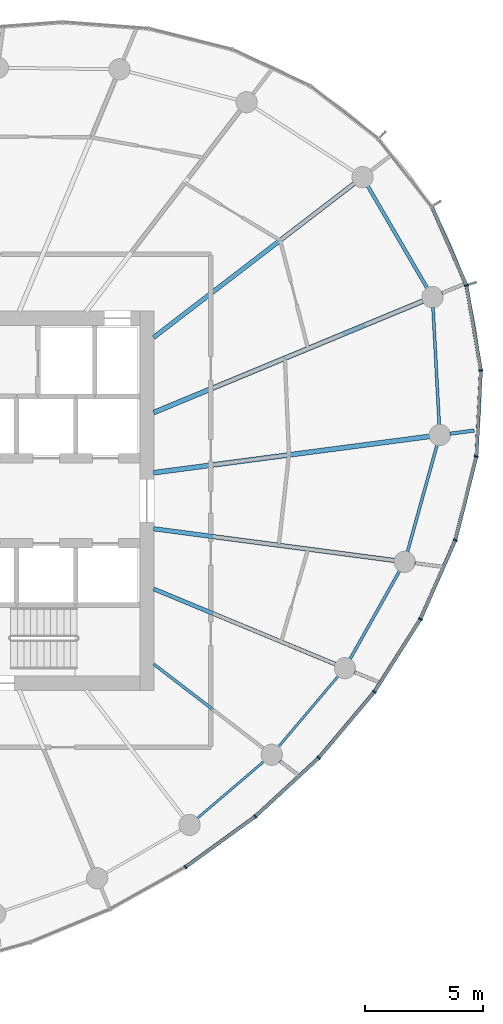
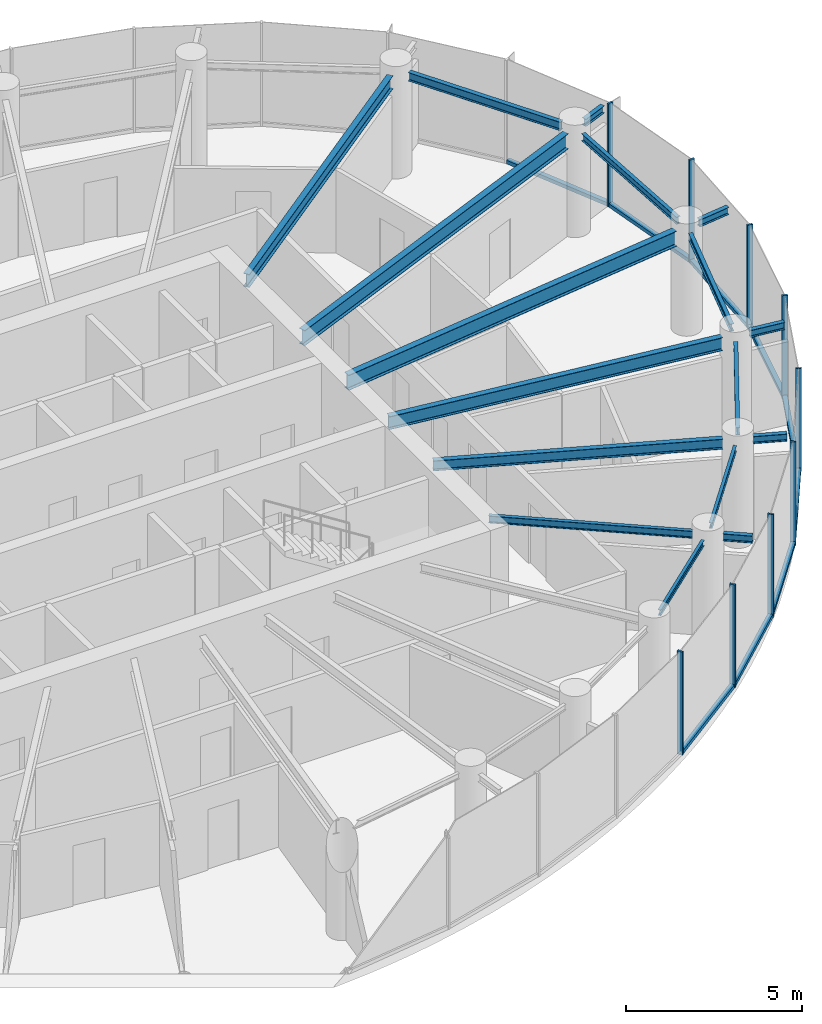
# One storey, part 5 of 14: 18 members, 17 beams, 2 elements without a shape of their own.
"""IFC4 building model written with IfcOpenShell, lengths in metres."""

from ifc_helpers import new_model, si_unit, direction, frame, origin, origin_2d, place, context, subcontext, project, spatial, rectangle, i_section, extrude, source, transform, mapped, material, layer, layer_set, material_profile, profile_set, type_object, element, aggregate, save


model = new_model("IFC4")

# Units and contexts
model_context = context("Model", 3, precision=1e-05, world=origin(), true_north=direction((0.0, 1.0)))
body_context = subcontext(model_context, "Body", "Model", "MODEL_VIEW")
ifc_project = project(units=[si_unit("LENGTHUNIT", "METRE"), si_unit("AREAUNIT", "SQUARE_METRE"), si_unit("VOLUMEUNIT", "CUBIC_METRE"), si_unit("PLANEANGLEUNIT", "RADIAN"), si_unit("MASSUNIT", "GRAM", prefix="KILO")], contexts=[model_context])

# Site, building, storey
site_placement = place(None, origin())
site = spatial("IfcSite", under=ifc_project, at=site_placement, CompositionType="ELEMENT")
building_placement = place(site_placement, origin())
building = spatial("IfcBuilding", under=site, at=building_placement, Name="Spindrift Exchange Tower", CompositionType="ELEMENT")
storey_placement = place(building_placement, frame((0.0, 0.0, 207.199951171875)))
storey = spatial("IfcBuildingStorey", under=building, at=storey_placement, Name="L50", CompositionType="ELEMENT", Elevation=207.199951171875)

# Beams
ifc_material_1 = material(Name="Steel Grade 300", Category="steel")
ifc_material_profile_1 = material_profile(ifc_material_1, i_section(OverallWidth=0.14599609375, OverallDepth=0.251953125, WebThickness=0.006103515625, FlangeThickness=0.008544921875, FilletRadius=0.011962890625, at=origin_2d()), Name="250UB31.4")
ifc_profile_set_1 = profile_set([ifc_material_profile_1], Name="Steel Grade 300")
beam_type_1 = type_object("IfcBeamType", Name="Cantilever Beam 250UB31.4 Steel Grade 300", PredefinedType="BEAM", material=ifc_profile_set_1)
shared_shape_1 = source(origin(), body_context, "Body", "SweptSolid", [
    extrude(i_section(OverallWidth=0.14599609375, OverallDepth=0.251953125, WebThickness=0.006103515625, FlangeThickness=0.008544921875, FilletRadius=0.011962890625, at=origin_2d()), origin(), (0.0, 0.0, 1.0), 0.859619140625),
])
beam_1_placement = place(storey_placement, frame((73.150390625, 56.7607421875, 3.4541015625), z_axis=(0.923923380362, 0.382577557131, 0.0), x_axis=(-0.382577557131, 0.923923380362, 0.0)))
element("IfcBeam", 1, at=beam_1_placement, inside=storey, type_object=beam_type_1, Name="L50 cantilever beam R02T", PredefinedType="BEAM", context=body_context, shape_type="MappedRepresentation", body=[
    mapped(shared_shape_1, transform((0.0, 0.0, 0.0), scale=1.0)),
])
ifc_material_profile_2 = material_profile(ifc_material_1, i_section(OverallWidth=0.208984375, OverallDepth=0.528076171875, WebThickness=0.009521484375, FlangeThickness=0.01318359375, FilletRadius=0.013916015625, at=origin_2d()), Name="530UB82.0")
ifc_profile_set_2 = profile_set([ifc_material_profile_2], Name="Steel Grade 300")
beam_type_2 = type_object("IfcBeamType", Name="Floor Beam 530UB82.0 Steel Grade 300", PredefinedType="BEAM", material=ifc_profile_set_2)
shared_shape_2 = source(origin(), body_context, "Body", "SweptSolid", [
    extrude(i_section(OverallWidth=0.208984375, OverallDepth=0.528076171875, WebThickness=0.009521484375, FlangeThickness=0.01318359375, FilletRadius=0.013916015625, at=origin_2d()), origin(), (0.0, 0.0, 1.0), 11.75634765625),
])
beam_2_placement = place(storey_placement, frame((60.980224609375, 49.182373046875, 3.316162109375), z_axis=(0.991445811455, 0.13051897543, 0.0), x_axis=(-0.13051897543, 0.991445811455, 0.0)))
element("IfcBeam", 2, at=beam_2_placement, inside=storey, type_object=beam_type_2, Name="L50 radial beam R01A", PredefinedType="BEAM", context=body_context, shape_type="MappedRepresentation", body=[
    mapped(shared_shape_2, transform((0.0, 0.0, 0.0), scale=1.0)),
])
shared_shape_3 = source(origin(), body_context, "Body", "SweptSolid", [
    extrude(i_section(OverallWidth=0.208984375, OverallDepth=0.528076171875, WebThickness=0.009521484375, FlangeThickness=0.01318359375, FilletRadius=0.013916015625, at=origin_2d()), origin(), (0.0, 0.0, 1.0), 12.3115234375),
])
beam_3_placement = place(storey_placement, frame((60.9814453125, 51.72021484375, 3.316162109375), z_axis=(0.923878099838, 0.382686891126, 0.0), x_axis=(-0.382686891126, 0.923878099838, 0.0)))
element("IfcBeam", 3, at=beam_3_placement, inside=storey, type_object=beam_type_2, Name="L50 radial beam R02A", PredefinedType="BEAM", context=body_context, shape_type="MappedRepresentation", body=[
    mapped(shared_shape_3, transform((0.0, 0.0, 0.0), scale=1.0)),
])
ifc_material_profile_3 = material_profile(ifc_material_1, i_section(OverallWidth=0.18994140625, OverallDepth=0.4541015625, WebThickness=0.008544921875, FlangeThickness=0.0126953125, FilletRadius=0.013916015625, at=origin_2d()), Name="460UB67.1")
ifc_profile_set_3 = profile_set([ifc_material_profile_3], Name="Steel Grade 300")
beam_type_3 = type_object("IfcBeamType", Name="Floor Beam 460UB67.1 Steel Grade 300", PredefinedType="BEAM", material=ifc_profile_set_3)
shared_shape_4 = source(origin(), body_context, "Body", "SweptSolid", [
    extrude(i_section(OverallWidth=0.18994140625, OverallDepth=0.4541015625, WebThickness=0.008544921875, FlangeThickness=0.0126953125, FilletRadius=0.013916015625, at=origin_2d()), origin(), (0.0, 0.0, 1.0), 10.684814453125),
])
beam_4_placement = place(storey_placement, frame((60.984130859375, 54.893798828125, 3.35302734375), z_axis=(0.793357316898, 0.608756246559, 0.0), x_axis=(-0.608756246559, 0.793357316898, 0.0)))
element("IfcBeam", 4, at=beam_4_placement, inside=storey, type_object=beam_type_3, Name="L50 radial beam R03A", PredefinedType="BEAM", context=body_context, shape_type="MappedRepresentation", body=[
    mapped(shared_shape_4, transform((0.0, 0.0, 0.0), scale=1.0)),
])
ifc_material_profile_4 = material_profile(ifc_material_1, i_section(OverallWidth=0.1240234375, OverallDepth=0.248046875, WebThickness=0.0048828125, FlangeThickness=0.008056640625, FilletRadius=0.011962890625, at=origin_2d()), Name="250UB25.7")
ifc_profile_set_4 = profile_set([ifc_material_profile_4], Name="Steel Grade 300")
beam_type_4 = type_object("IfcBeamType", Name="Floor Beam 250UB25.7 Steel Grade 300", PredefinedType="BEAM", material=ifc_profile_set_4)
shared_shape_5 = source(origin(), body_context, "Body", "SweptSolid", [
    extrude(i_section(OverallWidth=0.1240234375, OverallDepth=0.248046875, WebThickness=0.0048828125, FlangeThickness=0.008056640625, FilletRadius=0.011962890625, at=origin_2d()), origin(), (0.0, 0.0, 1.0), 5.855712890625),
])
beam_5_placement = place(storey_placement, frame((60.984130859375, 41.106201171875, 3.4560546875), z_axis=(0.793362708479, -0.608749219954, 0.0), x_axis=(0.608749219954, 0.793362708479, 0.0)))
element("IfcBeam", 5, at=beam_5_placement, inside=storey, type_object=beam_type_4, Name="L50 radial beam R22A", PredefinedType="BEAM", context=body_context, shape_type="MappedRepresentation", body=[
    mapped(shared_shape_5, transform((0.0, 0.0, 0.0), scale=1.0)),
])
ifc_material_profile_5 = material_profile(ifc_material_1, i_section(OverallWidth=0.1708984375, OverallDepth=0.35205078125, WebThickness=0.0068359375, FlangeThickness=0.009765625, FilletRadius=0.013916015625, at=origin_2d()), Name="360UB44.7")
ifc_profile_set_5 = profile_set([ifc_material_profile_5], Name="Steel Grade 300")
beam_type_5 = type_object("IfcBeamType", Name="Floor Beam 360UB44.7 Steel Grade 300", PredefinedType="BEAM", material=ifc_profile_set_5)
shared_shape_6 = source(origin(), body_context, "Body", "SweptSolid", [
    extrude(i_section(OverallWidth=0.1708984375, OverallDepth=0.35205078125, WebThickness=0.0068359375, FlangeThickness=0.009765625, FilletRadius=0.013916015625, at=origin_2d()), origin(), (0.0, 0.0, 1.0), 8.3134765625),
])
beam_6_placement = place(storey_placement, frame((60.9814453125, 44.27978515625, 3.404052734375), z_axis=(0.923881179957, -0.382679455055, 0.0), x_axis=(0.382679455055, 0.923881179957, 0.0)))
element("IfcBeam", 6, at=beam_6_placement, inside=storey, type_object=beam_type_5, Name="L50 radial beam R23A", PredefinedType="BEAM", context=body_context, shape_type="MappedRepresentation", body=[
    mapped(shared_shape_6, transform((0.0, 0.0, 0.0), scale=1.0)),
])
shared_shape_7 = source(origin(), body_context, "Body", "SweptSolid", [
    extrude(i_section(OverallWidth=0.18994140625, OverallDepth=0.4541015625, WebThickness=0.008544921875, FlangeThickness=0.0126953125, FilletRadius=0.013916015625, at=origin_2d()), origin(), (0.0, 0.0, 1.0), 10.262451171875),
])
beam_7_placement = place(storey_placement, frame((60.980224609375, 46.817626953125, 3.35302734375), z_axis=(0.991446763371, -0.130511744304, 0.0), x_axis=(0.130511744304, 0.991446763371, 0.0)))
element("IfcBeam", 7, at=beam_7_placement, inside=storey, type_object=beam_type_3, Name="L50 radial beam R24A", PredefinedType="BEAM", context=body_context, shape_type="MappedRepresentation", body=[
    mapped(shared_shape_7, transform((0.0, 0.0, 0.0), scale=1.0)),
])
ifc_material_profile_6 = material_profile(ifc_material_1, i_section(OverallWidth=0.1240234375, OverallDepth=0.248046875, WebThickness=0.0048828125, FlangeThickness=0.008056640625, FilletRadius=0.011962890625, at=origin_2d()), Name="250UB25.7")
ifc_profile_set_6 = profile_set([ifc_material_profile_6], Name="Steel Grade 300")
beam_type_6 = type_object("IfcBeamType", Name="Edge Beam 250UB25.7 Steel Grade 300", PredefinedType="SPANDREL", material=ifc_profile_set_6)
shared_shape_8 = source(origin(), body_context, "Body", "SweptSolid", [
    extrude(i_section(OverallWidth=0.1240234375, OverallDepth=0.248046875, WebThickness=0.0048828125, FlangeThickness=0.008056640625, FilletRadius=0.011962890625, at=origin_2d()), origin(), (0.0, 0.0, 1.0), 4.971435546875),
])
beam_8_placement = place(storey_placement, frame((73.03955078125, 51.202392578125, 3.4560546875), z_axis=(-0.053038255124, 0.998592481192, 0.0), x_axis=(-0.998592481192, -0.053038255124, 0.0)))
element("IfcBeam", 8, at=beam_8_placement, inside=storey, type_object=beam_type_6, Name="L50 edge beam E01", PredefinedType="SPANDREL", context=body_context, shape_type="MappedRepresentation", body=[
    mapped(shared_shape_8, transform((0.0, 0.0, 0.0), scale=1.0)),
])
ifc_material_profile_7 = material_profile(ifc_material_1, i_section(OverallWidth=0.14892578125, OverallDepth=0.298095703125, WebThickness=0.005615234375, FlangeThickness=0.008056640625, FilletRadius=0.012939453125, at=origin_2d()), Name="310UB32.0")
ifc_profile_set_7 = profile_set([ifc_material_profile_7], Name="Steel Grade 300")
beam_type_7 = type_object("IfcBeamType", Name="Edge Beam 310UB32.0 Steel Grade 300", PredefinedType="SPANDREL", material=ifc_profile_set_7)
shared_shape_9 = source(origin(), body_context, "Body", "SweptSolid", [
    extrude(i_section(OverallWidth=0.14892578125, OverallDepth=0.298095703125, WebThickness=0.005615234375, FlangeThickness=0.008056640625, FilletRadius=0.012939453125, at=origin_2d()), origin(), (0.0, 0.0, 1.0), 5.0009765625),
])
beam_9_placement = place(storey_placement, frame((72.53662109375, 56.9677734375, 3.43115234375), z_axis=(-0.503512812094, 0.863987759205, 0.0), x_axis=(-0.863987759205, -0.503512812094, 0.0)))
element("IfcBeam", 9, at=beam_9_placement, inside=storey, type_object=beam_type_7, Name="L50 edge beam E02", PredefinedType="SPANDREL", context=body_context, shape_type="MappedRepresentation", body=[
    mapped(shared_shape_9, transform((0.0, 0.0, 0.0), scale=1.0)),
])
ifc_material_profile_8 = material_profile(ifc_material_1, i_section(OverallWidth=0.09912109375, OverallDepth=0.197998046875, WebThickness=0.00439453125, FlangeThickness=0.007080078125, FilletRadius=0.010986328125, at=origin_2d()), Name="200UB18.2")
ifc_profile_set_8 = profile_set([ifc_material_profile_8], Name="Steel Grade 300")
beam_type_8 = type_object("IfcBeamType", Name="Edge Beam 200UB18.2 Steel Grade 300", PredefinedType="SPANDREL", material=ifc_profile_set_8)
shared_shape_10 = source(origin(), body_context, "Body", "SweptSolid", [
    extrude(i_section(OverallWidth=0.09912109375, OverallDepth=0.197998046875, WebThickness=0.00439453125, FlangeThickness=0.007080078125, FilletRadius=0.010986328125, at=origin_2d()), origin(), (0.0, 0.0, 1.0), 3.703857421875),
])
beam_10_placement = place(storey_placement, frame((62.826416015625, 34.59619140625, 3.48095703125), z_axis=(0.7606692863, 0.64913961278, 0.0), x_axis=(-0.64913961278, 0.7606692863, 0.0)))
element("IfcBeam", 10, at=beam_10_placement, inside=storey, type_object=beam_type_8, Name="L50 edge beam E21", PredefinedType="SPANDREL", context=body_context, shape_type="MappedRepresentation", body=[
    mapped(shared_shape_10, transform((0.0, 0.0, 0.0), scale=1.0)),
])
shared_shape_11 = source(origin(), body_context, "Body", "SweptSolid", [
    extrude(i_section(OverallWidth=0.09912109375, OverallDepth=0.197998046875, WebThickness=0.00439453125, FlangeThickness=0.007080078125, FilletRadius=0.010986328125, at=origin_2d()), origin(), (0.0, 0.0, 1.0), 3.92431640625),
])
beam_11_placement = place(storey_placement, frame((66.24853515625, 37.608154296875, 3.48095703125), z_axis=(0.645498720032, 0.763761351757, 0.0), x_axis=(-0.763761351757, 0.645498720032, 0.0)))
element("IfcBeam", 11, at=beam_11_placement, inside=storey, type_object=beam_type_8, Name="L50 edge beam E22", PredefinedType="SPANDREL", context=body_context, shape_type="MappedRepresentation", body=[
    mapped(shared_shape_11, transform((0.0, 0.0, 0.0), scale=1.0)),
])
shared_shape_12 = source(origin(), body_context, "Body", "SweptSolid", [
    extrude(i_section(OverallWidth=0.1240234375, OverallDepth=0.248046875, WebThickness=0.0048828125, FlangeThickness=0.008056640625, FilletRadius=0.011962890625, at=origin_2d()), origin(), (0.0, 0.0, 1.0), 4.2880859375),
])
beam_12_placement = place(storey_placement, frame((69.27001953125, 41.30859375, 3.4560546875), z_axis=(0.489804347673, 0.871832381253, 0.0), x_axis=(-0.871832381253, 0.489804347673, 0.0)))
element("IfcBeam", 12, at=beam_12_placement, inside=storey, type_object=beam_type_6, Name="L50 edge beam E23", PredefinedType="SPANDREL", context=body_context, shape_type="MappedRepresentation", body=[
    mapped(shared_shape_12, transform((0.0, 0.0, 0.0), scale=1.0)),
])
shared_shape_13 = source(origin(), body_context, "Body", "SweptSolid", [
    extrude(i_section(OverallWidth=0.1240234375, OverallDepth=0.248046875, WebThickness=0.0048828125, FlangeThickness=0.008056640625, FilletRadius=0.011962890625, at=origin_2d()), origin(), (0.0, 0.0, 1.0), 4.69189453125),
])
beam_13_placement = place(storey_placement, frame((71.69580078125, 45.83642578125, 3.4560546875), z_axis=(0.266774248618, 0.963759046792, 0.0), x_axis=(-0.963759046792, 0.266774248618, 0.0)))
element("IfcBeam", 13, at=beam_13_placement, inside=storey, type_object=beam_type_6, Name="L50 edge beam E24", PredefinedType="SPANDREL", context=body_context, shape_type="MappedRepresentation", body=[
    mapped(shared_shape_13, transform((0.0, 0.0, 0.0), scale=1.0)),
])
shared_shape_14 = source(origin(), body_context, "Body", "SweptSolid", [
    extrude(i_section(OverallWidth=0.14599609375, OverallDepth=0.251953125, WebThickness=0.006103515625, FlangeThickness=0.008544921875, FilletRadius=0.011962890625, at=origin_2d()), origin(), (0.0, 0.0, 1.0), 1.0380859375),
])
beam_14_placement = place(storey_placement, frame((73.488525390625, 50.8291015625, 3.4541015625), z_axis=(0.991446289497, 0.130515344087, 0.0), x_axis=(-0.130515344087, 0.991446289497, 0.0)))
element("IfcBeam", 14, at=beam_14_placement, inside=storey, type_object=beam_type_1, Name="L50 cantilever beam R01T", PredefinedType="BEAM", context=body_context, shape_type="MappedRepresentation", body=[
    mapped(shared_shape_14, transform((0.0, 0.0, 0.0), scale=1.0)),
])
shared_shape_15 = source(origin(), body_context, "Body", "SweptSolid", [
    extrude(i_section(OverallWidth=0.14599609375, OverallDepth=0.251953125, WebThickness=0.006103515625, FlangeThickness=0.008544921875, FilletRadius=0.011962890625, at=origin_2d()), origin(), (0.0, 0.0, 1.0), 0.850341796875),
])
beam_15_placement = place(storey_placement, frame((66.31201171875, 37.017822265625, 3.4541015625), z_axis=(0.793476968481, -0.608600279732, 0.0), x_axis=(0.608600279732, 0.793476968481, 0.0)))
element("IfcBeam", 15, at=beam_15_placement, inside=storey, type_object=beam_type_1, Name="L50 cantilever beam R22T", PredefinedType="BEAM", context=body_context, shape_type="MappedRepresentation", body=[
    mapped(shared_shape_15, transform((0.0, 0.0, 0.0), scale=1.0)),
])
shared_shape_16 = source(origin(), body_context, "Body", "SweptSolid", [
    extrude(i_section(OverallWidth=0.14599609375, OverallDepth=0.251953125, WebThickness=0.006103515625, FlangeThickness=0.008544921875, FilletRadius=0.011962890625, at=origin_2d()), origin(), (0.0, 0.0, 1.0), 0.97412109375),
])
beam_16_placement = place(storey_placement, frame((69.456787109375, 40.769287109375, 3.4541015625), z_axis=(0.923861027853, -0.382728103508, 0.0), x_axis=(0.382728103508, 0.923861027853, 0.0)))
element("IfcBeam", 16, at=beam_16_placement, inside=storey, type_object=beam_type_1, Name="L50 cantilever beam R23T", PredefinedType="BEAM", context=body_context, shape_type="MappedRepresentation", body=[
    mapped(shared_shape_16, transform((0.0, 0.0, 0.0), scale=1.0)),
])
shared_shape_17 = source(origin(), body_context, "Body", "SweptSolid", [
    extrude(i_section(OverallWidth=0.14599609375, OverallDepth=0.251953125, WebThickness=0.006103515625, FlangeThickness=0.008544921875, FilletRadius=0.011962890625, at=origin_2d()), origin(), (0.0, 0.0, 1.0), 1.058837890625),
])
beam_17_placement = place(storey_placement, frame((72.00732421875, 45.365966796875, 3.4541015625), z_axis=(0.991448016129, -0.130502227239, 0.0), x_axis=(0.130502227239, 0.991448016129, 0.0)))
element("IfcBeam", 17, at=beam_17_placement, inside=storey, type_object=beam_type_1, Name="L50 cantilever beam R24T", PredefinedType="BEAM", context=body_context, shape_type="MappedRepresentation", body=[
    mapped(shared_shape_17, transform((0.0, 0.0, 0.0), scale=1.0)),
])

# Curtain wall, member
ifc_material_2 = material(Name="Fritted laminated glass with bronze frame", Category="glass")
ifc_layer = layer(ifc_material_2, 0.169921875)
ifc_layer_set = layer_set([ifc_layer], Name="ZONE 4 BRONZE FRITTED WALL")
curtain_wall_type = type_object("IfcCurtainWallType", Name="ZONE 4 BRONZE FRITTED WALL", PredefinedType="NOTDEFINED", material=ifc_layer_set)
curtain_wall_1_placement = place(storey_placement, origin())
curtain_wall_1 = element("IfcCurtainWall", 18, at=curtain_wall_1_placement, inside=storey, type_object=curtain_wall_type, Name="L50 Zone 4 Bronze Fritted Wall run 5", PredefinedType="NOTDEFINED")
ifc_material_3 = material(Name="Bronze anodised aluminium", Category="aluminium")
ifc_material_profile_9 = material_profile(ifc_material_3, rectangle(XDim=0.14990234375, YDim=0.125, at=origin_2d()), Name="ZONE 4 BRONZE FRITTED WALL TRANSOM 150X125")
ifc_profile_set_9 = profile_set([ifc_material_profile_9], Name="Bronze anodised aluminium")
member_type_1 = type_object("IfcMemberType", Name="ZONE 4 BRONZE FRITTED WALL TRANSOM 150X125", PredefinedType="USERDEFINED", material=ifc_profile_set_9)
shared_shape_18 = source(origin(), body_context, "Body", "SweptSolid", [
    extrude(rectangle(XDim=0.14990234375, YDim=0.125, at=origin_2d()), origin(), (0.0, 0.0, 1.0), 3.577880859375),
])
member_1_placement = place(storey_placement, frame((62.3515625, 32.55517578125, 0.0625), z_axis=(0.809758770431, 0.58676292803, 0.0), x_axis=(-0.58676292803, 0.809758770431, 0.0)))
member_1 = element("IfcMember", 19, at=member_1_placement, type_object=member_type_1, Name="L50 transom CW-4.29", ObjectType="TRANSOM", PredefinedType="USERDEFINED", context=body_context, shape_type="MappedRepresentation", body=[
    mapped(shared_shape_18, transform((0.0, 0.0, 0.0), scale=1.0)),
])

curtain_wall_2_placement = place(storey_placement, origin())
curtain_wall_2 = element("IfcCurtainWall", 20, at=curtain_wall_2_placement, inside=storey, type_object=curtain_wall_type, Name="L50 Zone 4 Bronze Fritted Wall run 6", PredefinedType="NOTDEFINED")
shared_shape_19 = source(origin(), body_context, "Body", "SweptSolid", [
    extrude(rectangle(XDim=0.14990234375, YDim=0.125, at=origin_2d()), origin(), (0.0, 0.0, 1.0), 3.57666015625),
])
member_2_placement = place(storey_placement, frame((70.314208984375, 39.959228515625, 0.0625), z_axis=(0.535558648317, 0.844498036832, 0.0), x_axis=(-0.844498036832, 0.535558648317, 0.0)))
member_2 = element("IfcMember", 21, at=member_2_placement, type_object=member_type_1, Name="L50 transom CW-4.32", ObjectType="TRANSOM", PredefinedType="USERDEFINED", context=body_context, shape_type="MappedRepresentation", body=[
    mapped(shared_shape_19, transform((0.0, 0.0, 0.0), scale=1.0)),
])

# Member
shared_shape_20 = source(origin(), body_context, "Body", "SweptSolid", [
    extrude(rectangle(XDim=0.14990234375, YDim=0.125, at=origin_2d()), origin(), (0.0, 0.0, 1.0), 3.577392578125),
])
member_3_placement = place(storey_placement, frame((65.299072265625, 34.69580078125, 0.0625), z_axis=(0.734434429655, 0.678679650894, 0.0), x_axis=(-0.678679650894, 0.734434429655, 0.0)))
member_3 = element("IfcMember", 22, at=member_3_placement, type_object=member_type_1, Name="L50 transom CW-4.30", ObjectType="TRANSOM", PredefinedType="USERDEFINED", context=body_context, shape_type="MappedRepresentation", body=[
    mapped(shared_shape_20, transform((0.0, 0.0, 0.0), scale=1.0)),
])

member_4_placement = place(storey_placement, frame((67.971435546875, 37.170654296875, 0.0625), z_axis=(0.64416306543, 0.764888191264, 0.0), x_axis=(-0.764888191264, 0.64416306543, 0.0)))
member_4 = element("IfcMember", 23, at=member_4_placement, type_object=member_type_1, Name="L50 transom CW-4.31", ObjectType="TRANSOM", PredefinedType="USERDEFINED", context=body_context, shape_type="MappedRepresentation", body=[
    mapped(shared_shape_20, transform((0.0, 0.0, 0.0), scale=1.0)),
])

ifc_material_profile_10 = material_profile(ifc_material_3, rectangle(XDim=0.06494140625, YDim=0.169921875, at=origin_2d()), Name="ZONE 4 BRONZE FRITTED WALL MULLION 65X170")
ifc_profile_set_10 = profile_set([ifc_material_profile_10], Name="Bronze anodised aluminium")
member_type_2 = type_object("IfcMemberType", Name="ZONE 4 BRONZE FRITTED WALL MULLION 65X170", PredefinedType="MULLION", material=ifc_profile_set_10)
shared_shape_21 = source(origin(), body_context, "Body", "SweptSolid", [
    extrude(rectangle(XDim=0.06494140625, YDim=0.169921875, at=origin_2d()), origin(), (0.0, 0.0, 1.0), 3.580078125),
])
member_5_placement = place(storey_placement, frame((62.3251953125, 32.5361328125, 0.0), z_axis=(0.0, 0.0, 1.0), x_axis=(0.842518310505, 0.538667705051, 0.0)))
member_5 = element("IfcMember", 24, at=member_5_placement, type_object=member_type_2, Name="L50 mullion CW-4.29", PredefinedType="MULLION", context=body_context, shape_type="MappedRepresentation", body=[
    mapped(shared_shape_21, transform((0.0, 0.0, 0.0), scale=1.0)),
])

member_6_placement = place(storey_placement, frame((65.275146484375, 34.673583984375, 0.0), z_axis=(0.0, 0.0, 1.0), x_axis=(0.773461186298, 0.633843666285, 0.0)))
member_6 = element("IfcMember", 25, at=member_6_placement, type_object=member_type_2, Name="L50 mullion CW-4.30", PredefinedType="MULLION", context=body_context, shape_type="MappedRepresentation", body=[
    mapped(shared_shape_21, transform((0.0, 0.0, 0.0), scale=1.0)),
])

aggregate(curtain_wall_1, [member_5, member_1, member_6, member_3])

member_7_placement = place(storey_placement, frame((67.950439453125, 37.14599609375, 0.0), z_axis=(0.0, 0.0, 1.0), x_axis=(0.690661309249, 0.72317837074, 0.0)))
member_7 = element("IfcMember", 26, at=member_7_placement, type_object=member_type_2, Name="L50 mullion CW-4.31", PredefinedType="MULLION", context=body_context, shape_type="MappedRepresentation", body=[
    mapped(shared_shape_21, transform((0.0, 0.0, 0.0), scale=1.0)),
])

member_8_placement = place(storey_placement, frame((70.296875, 39.931884765625, 0.0), z_axis=(0.0, 0.0, 1.0), x_axis=(0.591219892488, 0.806510408319, 0.0)))
member_8 = element("IfcMember", 27, at=member_8_placement, type_object=member_type_2, Name="L50 mullion CW-4.32", PredefinedType="MULLION", context=body_context, shape_type="MappedRepresentation", body=[
    mapped(shared_shape_21, transform((0.0, 0.0, 0.0), scale=1.0)),
])

member_9_placement = place(storey_placement, frame((72.247314453125, 43.00732421875, 0.0), z_axis=(0.0, 0.0, 1.0), x_axis=(0.471048735458, 0.882107186697, 0.0)))
member_9 = element("IfcMember", 28, at=member_9_placement, type_object=member_type_2, Name="L50 mullion CW-4.33", PredefinedType="MULLION", context=body_context, shape_type="MappedRepresentation", body=[
    mapped(shared_shape_21, transform((0.0, 0.0, 0.0), scale=1.0)),
])

member_10_placement = place(storey_placement, frame((73.718017578125, 46.338134765625, 0.0), z_axis=(0.0, 0.0, 1.0), x_axis=(0.325140742054, 0.945665637452, 0.0)))
member_10 = element("IfcMember", 29, at=member_10_placement, type_object=member_type_2, Name="L50 mullion CW-4.34", PredefinedType="MULLION", context=body_context, shape_type="MappedRepresentation", body=[
    mapped(shared_shape_21, transform((0.0, 0.0, 0.0), scale=1.0)),
])

member_11_placement = place(storey_placement, frame((74.606201171875, 49.8681640625, 0.0), z_axis=(0.0, 0.0, 1.0), x_axis=(0.148928786473, 0.988847923879, 0.0)))
member_11 = element("IfcMember", 30, at=member_11_placement, type_object=member_type_2, Name="L50 mullion CW-4.35", PredefinedType="MULLION", context=body_context, shape_type="MappedRepresentation", body=[
    mapped(shared_shape_21, transform((0.0, 0.0, 0.0), scale=1.0)),
])

member_12_placement = place(storey_placement, frame((74.796875, 53.50146484375, 0.0), z_axis=(0.0, 0.0, 1.0), x_axis=(-0.058211777898, 0.998304256684, 0.0)))
member_12 = element("IfcMember", 31, at=member_12_placement, type_object=member_type_2, Name="L50 mullion CW-4.36", PredefinedType="MULLION", context=body_context, shape_type="MappedRepresentation", body=[
    mapped(shared_shape_21, transform((0.0, 0.0, 0.0), scale=1.0)),
])

member_13_placement = place(storey_placement, frame((74.185546875, 57.086181640625, 0.0), z_axis=(0.0, 0.0, 1.0), x_axis=(-0.286900523108, 0.9579603801, 0.0)))
member_13 = element("IfcMember", 32, at=member_13_placement, type_object=member_type_2, Name="L50 mullion CW-4.37", PredefinedType="MULLION", context=body_context, shape_type="MappedRepresentation", body=[
    mapped(shared_shape_21, transform((0.0, 0.0, 0.0), scale=1.0)),
])

shared_shape_22 = source(origin(), body_context, "Body", "SweptSolid", [
    extrude(rectangle(XDim=0.14990234375, YDim=0.125, at=origin_2d()), origin(), (0.0, 0.0, 1.0), 3.5703125),
])
member_14_placement = place(storey_placement, frame((74.17236328125, 57.115966796875, 0.0625), z_axis=(-0.401399884728, 0.915902905629, 0.0), x_axis=(-0.915902905629, -0.401399884728, 0.0)))
member_14 = element("IfcMember", 33, at=member_14_placement, type_object=member_type_1, Name="L50 transom CW-4.37", ObjectType="TRANSOM", PredefinedType="USERDEFINED", context=body_context, shape_type="MappedRepresentation", body=[
    mapped(shared_shape_22, transform((0.0, 0.0, 0.0), scale=1.0)),
])

shared_shape_23 = source(origin(), body_context, "Body", "SweptSolid", [
    extrude(rectangle(XDim=0.14990234375, YDim=0.125, at=origin_2d()), origin(), (0.0, 0.0, 1.0), 3.571533203125),
])
member_15_placement = place(storey_placement, frame((74.79150390625, 53.533447265625, 0.0625), z_axis=(-0.168155521573, 0.985760478293, 0.0), x_axis=(-0.985760478293, -0.168155521573, 0.0)))
member_15 = element("IfcMember", 34, at=member_15_placement, type_object=member_type_1, Name="L50 transom CW-4.36", ObjectType="TRANSOM", PredefinedType="USERDEFINED", context=body_context, shape_type="MappedRepresentation", body=[
    mapped(shared_shape_23, transform((0.0, 0.0, 0.0), scale=1.0)),
])

shared_shape_24 = source(origin(), body_context, "Body", "SweptSolid", [
    extrude(rectangle(XDim=0.14990234375, YDim=0.125, at=origin_2d()), origin(), (0.0, 0.0, 1.0), 3.5732421875),
])
member_16_placement = place(storey_placement, frame((74.60791015625, 49.900634765625, 0.0625), z_axis=(0.052404631283, 0.99862593328, 0.0), x_axis=(-0.99862593328, 0.052404631283, 0.0)))
member_16 = element("IfcMember", 35, at=member_16_placement, type_object=member_type_1, Name="L50 transom CW-4.35", ObjectType="TRANSOM", PredefinedType="USERDEFINED", context=body_context, shape_type="MappedRepresentation", body=[
    mapped(shared_shape_24, transform((0.0, 0.0, 0.0), scale=1.0)),
])

shared_shape_25 = source(origin(), body_context, "Body", "SweptSolid", [
    extrude(rectangle(XDim=0.14990234375, YDim=0.125, at=origin_2d()), origin(), (0.0, 0.0, 1.0), 3.5751953125),
])
member_17_placement = place(storey_placement, frame((73.725830078125, 46.36962890625, 0.0625), z_axis=(0.244061765302, 0.969759689159, 0.0), x_axis=(-0.969759689159, 0.244061765302, 0.0)))
member_17 = element("IfcMember", 36, at=member_17_placement, type_object=member_type_1, Name="L50 transom CW-4.34", ObjectType="TRANSOM", PredefinedType="USERDEFINED", context=body_context, shape_type="MappedRepresentation", body=[
    mapped(shared_shape_25, transform((0.0, 0.0, 0.0), scale=1.0)),
])

shared_shape_26 = source(origin(), body_context, "Body", "SweptSolid", [
    extrude(rectangle(XDim=0.14990234375, YDim=0.125, at=origin_2d()), origin(), (0.0, 0.0, 1.0), 3.575927734375),
])
member_18_placement = place(storey_placement, frame((72.26025390625, 43.037109375, 0.0625), z_axis=(0.403964583761, 0.914774625286, 0.0), x_axis=(-0.914774625286, 0.403964583761, 0.0)))
member_18 = element("IfcMember", 37, at=member_18_placement, type_object=member_type_1, Name="L50 transom CW-4.33", ObjectType="TRANSOM", PredefinedType="USERDEFINED", context=body_context, shape_type="MappedRepresentation", body=[
    mapped(shared_shape_26, transform((0.0, 0.0, 0.0), scale=1.0)),
])

aggregate(curtain_wall_2, [member_7, member_4, member_8, member_2, member_9, member_18, member_10, member_17, member_11, member_16, member_12, member_15, member_13, member_14])

save(model, "model.ifc")
